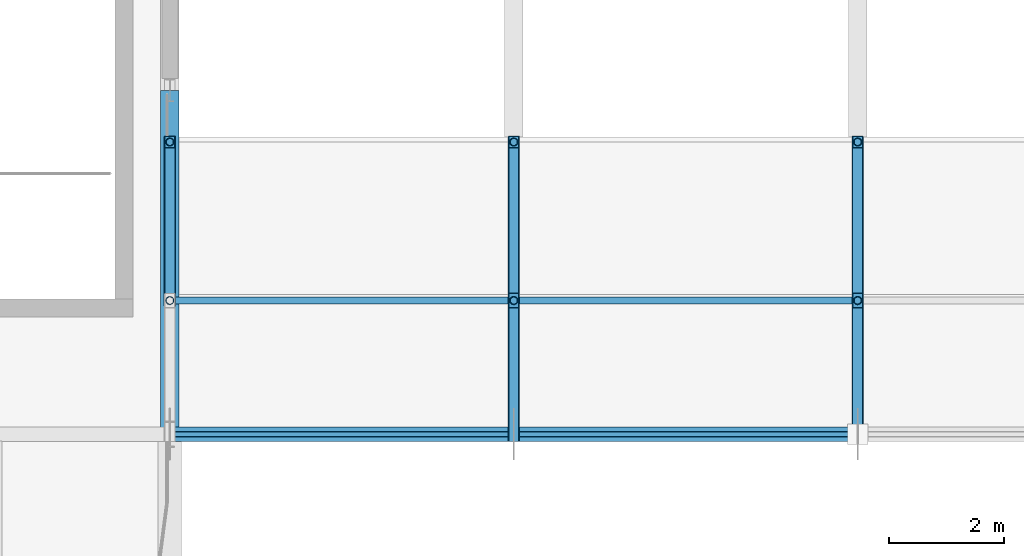
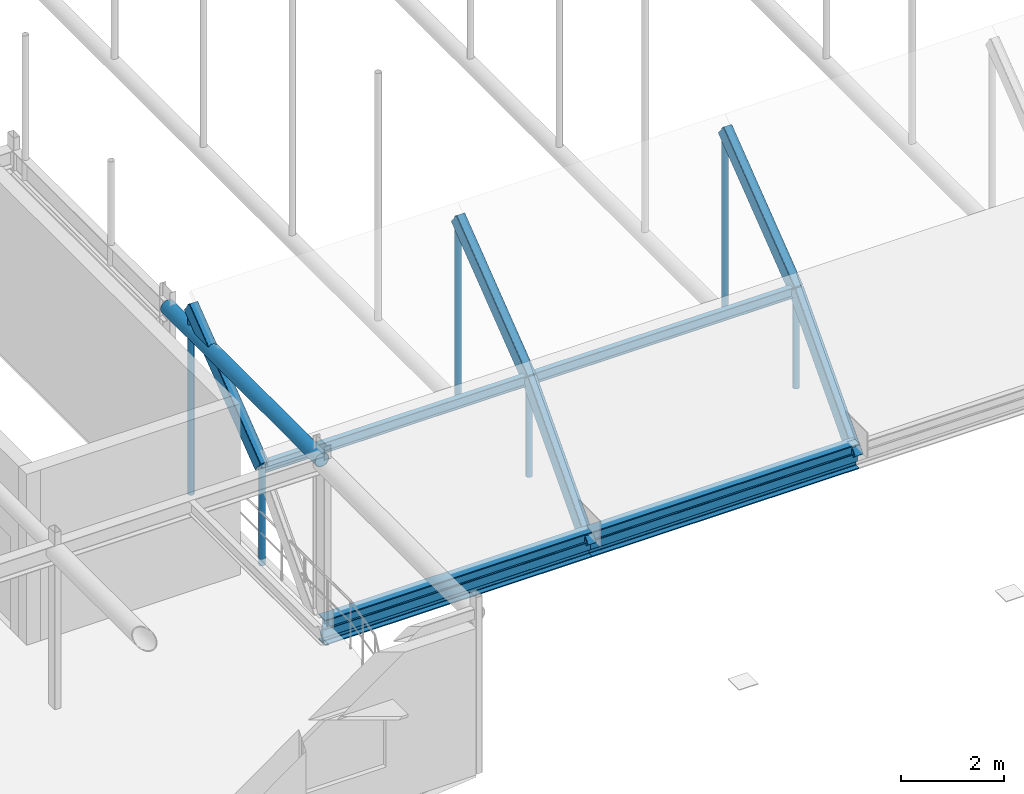
# One storey, part 27 of 116: 10 members, 8 beams.
"""IFC4 building model written with IfcOpenShell, lengths in metres."""

from ifc_helpers import new_model, si_unit, direction, frame, origin, origin_2d, place, context, subcontext, project, spatial, hollow_rectangle, hollow_circle, i_section, extrude, material, material_profile, profile_set, type_object, element, save


model = new_model("IFC4")

# Units and contexts
model_context = context("Model", 3, precision=1e-05, world=origin(), true_north=direction((0.0, 1.0)))
body_context = subcontext(model_context, "Body", "Model", "MODEL_VIEW")
ifc_project = project(units=[si_unit("LENGTHUNIT", "METRE"), si_unit("AREAUNIT", "SQUARE_METRE"), si_unit("VOLUMEUNIT", "CUBIC_METRE"), si_unit("PLANEANGLEUNIT", "RADIAN"), si_unit("MASSUNIT", "GRAM", prefix="KILO")], contexts=[model_context])

# Site, building, storey
site_placement = place(None, origin())
site = spatial("IfcSite", under=ifc_project, at=site_placement, CompositionType="ELEMENT")
building_placement = place(site_placement, origin())
building = spatial("IfcBuilding", under=site, at=building_placement, Name="Varnakota Square Police Headquarters", CompositionType="ELEMENT")
storey_placement = place(building_placement, frame((0.0, 0.0, 9.300048828125)))
storey = spatial("IfcBuildingStorey", under=building, at=storey_placement, Name="L02", CompositionType="ELEMENT", Elevation=9.300048828125)

# Beams
ifc_material = material(Name="Steel IS 2062 Grade 350", Category="steel")
ifc_material_profile_1 = material_profile(ifc_material, hollow_circle(Radius=0.161865234375, WallThickness=0.0126953125, at=origin_2d()), Name="CHS 323.9x12.7")
ifc_profile_set_1 = profile_set([ifc_material_profile_1], Name="Steel IS 2062 Grade 350")
beam_type_1 = type_object("IfcBeamType", Name="BM-ARC-CHS324", PredefinedType="BEAM", material=ifc_profile_set_1)
beam_1_placement = place(storey_placement, frame((54.0, 9.0, 3.738037109375), z_axis=(0.0, 1.0, 0.0), x_axis=(-1.0, 0.0, 0.0)))
element("IfcBeam", 1, at=beam_1_placement, inside=storey, type_object=beam_type_1, Name="BMG-L02-2201", PredefinedType="BEAM", context=body_context, shape_type="SweptSolid", body=[
    extrude(hollow_circle(Radius=0.161865234375, WallThickness=0.0126953125, at=origin_2d()), origin(), (0.0, 0.0, 1.0), 6.0),
])
ifc_material_profile_2 = material_profile(ifc_material, i_section(OverallWidth=0.25, OverallDepth=0.60009765625, WebThickness=0.01171875, FlangeThickness=0.023681640625, FilletRadius=0.01708984375, at=origin_2d()), Name="ISWB 600")
ifc_profile_set_2 = profile_set([ifc_material_profile_2], Name="Steel IS 2062 Grade 350")
beam_type_2 = type_object("IfcBeamType", Name="BM-ISWB600", PredefinedType="BEAM", material=ifc_profile_set_2)
for number, where, z_axis, x_axis, name in (
    (2, (54.0, 9.0, -0.300048828125), (1.0, 0.0, 0.0), (0.0, 1.0, 0.0), "Vault V1 south ring beam"),
    (3, (60.0, 9.0, -0.300048828125), (1.0, 0.0, 0.0), (0.0, 1.0, 0.0), "Vault V1 south ring beam"),
):
    element("IfcBeam", number, at=place(storey_placement, frame(where, z_axis=z_axis, x_axis=x_axis)), inside=storey, type_object=beam_type_2, Name=name, PredefinedType="BEAM", context=body_context, shape_type="SweptSolid", body=[
        extrude(i_section(OverallWidth=0.25, OverallDepth=0.60009765625, WebThickness=0.01171875, FlangeThickness=0.023681640625, FilletRadius=0.01708984375, at=origin_2d()), origin(), (0.0, 0.0, 1.0), 6.0),
    ])
ifc_material_profile_3 = material_profile(ifc_material, hollow_rectangle(XDim=0.199951171875, YDim=0.35009765625, WallThickness=0.011962890625, InnerFilletRadius=0.011962890625, OuterFilletRadius=0.02392578125, at=origin_2d()), Name="RHS 350x200x12")
ifc_profile_set_3 = profile_set([ifc_material_profile_3], Name="Steel IS 2062 Grade 350")
beam_type_3 = type_object("IfcBeamType", Name="BM-VR-RHS350", PredefinedType="BEAM", material=ifc_profile_set_3)
beam_2_placement = place(storey_placement, frame((54.0, 11.331787109375, 2.181396484375), z_axis=(0.0, 0.792062306817, 0.610440252703), x_axis=(-1.0, 0.0, 0.0)))
element("IfcBeam", 4, at=beam_2_placement, inside=storey, type_object=beam_type_3, Name="Barrel vault arch rib chord VR-V1-R01-S02", PredefinedType="BEAM", context=body_context, shape_type="SweptSolid", body=[
    extrude(hollow_rectangle(XDim=0.199951171875, YDim=0.35009765625, WallThickness=0.011962890625, InnerFilletRadius=0.011962890625, OuterFilletRadius=0.02392578125, at=origin_2d()), origin(), (0.0, 0.0, 1.0), 3.4921875),
])
beam_3_placement = place(storey_placement, frame((60.0, 9.0, -0.3916015625), z_axis=(0.0, 0.671520631111, 0.740985858159), x_axis=(-1.0, 0.0, 0.0)))
element("IfcBeam", 5, at=beam_3_placement, inside=storey, type_object=beam_type_3, Name="Barrel vault arch rib chord VR-V1-R02-S01", PredefinedType="BEAM", context=body_context, shape_type="SweptSolid", body=[
    extrude(hollow_rectangle(XDim=0.199951171875, YDim=0.35009765625, WallThickness=0.011962890625, InnerFilletRadius=0.011962890625, OuterFilletRadius=0.02392578125, at=origin_2d()), origin(), (0.0, 0.0, 1.0), 3.472412109375),
])
beam_4_placement = place(storey_placement, frame((60.0, 11.331787109375, 2.181396484375), z_axis=(0.0, 0.792062306817, 0.610440252703), x_axis=(-1.0, 0.0, 0.0)))
element("IfcBeam", 6, at=beam_4_placement, inside=storey, type_object=beam_type_3, Name="Barrel vault arch rib chord VR-V1-R02-S02", PredefinedType="BEAM", context=body_context, shape_type="SweptSolid", body=[
    extrude(hollow_rectangle(XDim=0.199951171875, YDim=0.35009765625, WallThickness=0.011962890625, InnerFilletRadius=0.011962890625, OuterFilletRadius=0.02392578125, at=origin_2d()), origin(), (0.0, 0.0, 1.0), 3.4921875),
])
beam_5_placement = place(storey_placement, frame((66.0, 9.0, -0.3916015625), z_axis=(0.0, 0.671520631111, 0.740985858159), x_axis=(-1.0, 0.0, 0.0)))
element("IfcBeam", 7, at=beam_5_placement, inside=storey, type_object=beam_type_3, Name="Barrel vault arch rib chord VR-V1-R03-S01", PredefinedType="BEAM", context=body_context, shape_type="SweptSolid", body=[
    extrude(hollow_rectangle(XDim=0.199951171875, YDim=0.35009765625, WallThickness=0.011962890625, InnerFilletRadius=0.011962890625, OuterFilletRadius=0.02392578125, at=origin_2d()), origin(), (0.0, 0.0, 1.0), 3.472412109375),
])
beam_6_placement = place(storey_placement, frame((66.0, 11.331787109375, 2.181396484375), z_axis=(0.0, 0.792062306817, 0.610440252703), x_axis=(-1.0, 0.0, 0.0)))
element("IfcBeam", 8, at=beam_6_placement, inside=storey, type_object=beam_type_3, Name="Barrel vault arch rib chord VR-V1-R03-S02", PredefinedType="BEAM", context=body_context, shape_type="SweptSolid", body=[
    extrude(hollow_rectangle(XDim=0.199951171875, YDim=0.35009765625, WallThickness=0.011962890625, InnerFilletRadius=0.011962890625, OuterFilletRadius=0.02392578125, at=origin_2d()), origin(), (0.0, 0.0, 1.0), 3.4921875),
])

# Members
ifc_material_profile_4 = material_profile(ifc_material, hollow_circle(Radius=0.06982421875, WallThickness=0.006103515625, at=origin_2d()), Name="CHS 139.7x6.0")
ifc_profile_set_4 = profile_set([ifc_material_profile_4], Name="Steel IS 2062 Grade 350")
member_type_1 = type_object("IfcMemberType", Name="MEM-HNG-CHS139", PredefinedType="STRUT", material=ifc_profile_set_4)
member_1_placement = place(storey_placement, frame((54.0, 11.331787109375, -0.150146484375), z_axis=(0.0, 0.0, 1.0), x_axis=(1.0, 0.0, 0.0)))
element("IfcMember", 9, at=member_1_placement, inside=storey, type_object=member_type_1, Name="Barrel vault hanger strut V1-R01-N1", PredefinedType="STRUT", context=body_context, shape_type="SweptSolid", body=[
    extrude(hollow_circle(Radius=0.06982421875, WallThickness=0.006103515625, at=origin_2d()), origin(), (0.0, 0.0, 1.0), 2.33154296875),
])
member_2_placement = place(storey_placement, frame((54.0, 14.097900390625, -0.150146484375), z_axis=(0.0, 0.0, 1.0), x_axis=(1.0, 0.0, 0.0)))
element("IfcMember", 10, at=member_2_placement, inside=storey, type_object=member_type_1, Name="Barrel vault hanger strut V1-R01-N2", PredefinedType="STRUT", context=body_context, shape_type="SweptSolid", body=[
    extrude(hollow_circle(Radius=0.06982421875, WallThickness=0.006103515625, at=origin_2d()), origin(), (0.0, 0.0, 1.0), 4.46337890625),
])
member_3_placement = place(storey_placement, frame((60.0, 11.331787109375, -0.150146484375), z_axis=(0.0, 0.0, 1.0), x_axis=(1.0, 0.0, 0.0)))
element("IfcMember", 11, at=member_3_placement, inside=storey, type_object=member_type_1, Name="Barrel vault hanger strut V1-R02-N1", PredefinedType="STRUT", context=body_context, shape_type="SweptSolid", body=[
    extrude(hollow_circle(Radius=0.06982421875, WallThickness=0.006103515625, at=origin_2d()), origin(), (0.0, 0.0, 1.0), 2.33154296875),
])
member_4_placement = place(storey_placement, frame((60.0, 14.097900390625, -0.150146484375), z_axis=(0.0, 0.0, 1.0), x_axis=(1.0, 0.0, 0.0)))
element("IfcMember", 12, at=member_4_placement, inside=storey, type_object=member_type_1, Name="Barrel vault hanger strut V1-R02-N2", PredefinedType="STRUT", context=body_context, shape_type="SweptSolid", body=[
    extrude(hollow_circle(Radius=0.06982421875, WallThickness=0.006103515625, at=origin_2d()), origin(), (0.0, 0.0, 1.0), 4.46337890625),
])
member_5_placement = place(storey_placement, frame((66.0, 11.331787109375, -0.150146484375), z_axis=(0.0, 0.0, 1.0), x_axis=(1.0, 0.0, 0.0)))
element("IfcMember", 13, at=member_5_placement, inside=storey, type_object=member_type_1, Name="Barrel vault hanger strut V1-R03-N1", PredefinedType="STRUT", context=body_context, shape_type="SweptSolid", body=[
    extrude(hollow_circle(Radius=0.06982421875, WallThickness=0.006103515625, at=origin_2d()), origin(), (0.0, 0.0, 1.0), 2.33154296875),
])
member_6_placement = place(storey_placement, frame((66.0, 14.097900390625, -0.150146484375), z_axis=(0.0, 0.0, 1.0), x_axis=(1.0, 0.0, 0.0)))
element("IfcMember", 14, at=member_6_placement, inside=storey, type_object=member_type_1, Name="Barrel vault hanger strut V1-R03-N2", PredefinedType="STRUT", context=body_context, shape_type="SweptSolid", body=[
    extrude(hollow_circle(Radius=0.06982421875, WallThickness=0.006103515625, at=origin_2d()), origin(), (0.0, 0.0, 1.0), 4.46337890625),
])
ifc_material_profile_5 = material_profile(ifc_material, i_section(OverallWidth=0.125, OverallDepth=0.25, WebThickness=0.0068359375, FlangeThickness=0.012451171875, FilletRadius=0.012939453125, at=origin_2d()), Name="ISMB 250")
ifc_profile_set_5 = profile_set([ifc_material_profile_5], Name="Steel IS 2062 Grade 350")
member_type_2 = type_object("IfcMemberType", Name="MEM-PUR-ISMB250", PredefinedType="PURLIN", material=ifc_profile_set_5)
for number, where, z_axis, x_axis, name in (
    (15, (54.0, 11.331787109375, 2.156494140625), (1.0, 0.0, 0.0), (0.0, 1.0, 0.0), "Vault roof purlin V1-B01-N01"),
    (16, (60.0, 11.331787109375, 2.156494140625), (1.0, 0.0, 0.0), (0.0, 1.0, 0.0), "Vault roof purlin V1-B02-N01"),
):
    element("IfcMember", number, at=place(storey_placement, frame(where, z_axis=z_axis, x_axis=x_axis)), inside=storey, type_object=member_type_2, Name=name, PredefinedType="PURLIN", context=body_context, shape_type="SweptSolid", body=[
        extrude(i_section(OverallWidth=0.125, OverallDepth=0.25, WebThickness=0.0068359375, FlangeThickness=0.012451171875, FilletRadius=0.012939453125, at=origin_2d()), origin(), (0.0, 0.0, 1.0), 6.0),
    ])
ifc_material_profile_6 = material_profile(ifc_material, hollow_rectangle(XDim=0.10009765625, YDim=0.199951171875, WallThickness=0.008056640625, InnerFilletRadius=0.008056640625, OuterFilletRadius=0.01611328125, at=origin_2d()), Name="RHS 200x100x8")
ifc_profile_set_6 = profile_set([ifc_material_profile_6], Name="Steel IS 2062 Grade 350")
member_type_3 = type_object("IfcMemberType", Name="MEM-PUR-RHS200", PredefinedType="PURLIN", material=ifc_profile_set_6)
for number, where, z_axis, x_axis, name in (
    (17, (54.0, 9.0, -0.377685546875), (1.0, 0.0, 0.0), (0.0, 1.0, 0.0), "Vault roof purlin V1-B01-N00"),
    (18, (60.0, 9.0, -0.377685546875), (1.0, 0.0, 0.0), (0.0, 1.0, 0.0), "Vault roof purlin V1-B02-N00"),
):
    element("IfcMember", number, at=place(storey_placement, frame(where, z_axis=z_axis, x_axis=x_axis)), inside=storey, type_object=member_type_3, Name=name, PredefinedType="PURLIN", context=body_context, shape_type="SweptSolid", body=[
        extrude(hollow_rectangle(XDim=0.10009765625, YDim=0.199951171875, WallThickness=0.008056640625, InnerFilletRadius=0.008056640625, OuterFilletRadius=0.01611328125, at=origin_2d()), origin(), (0.0, 0.0, 1.0), 6.0),
    ])

save(model, "model.ifc")
